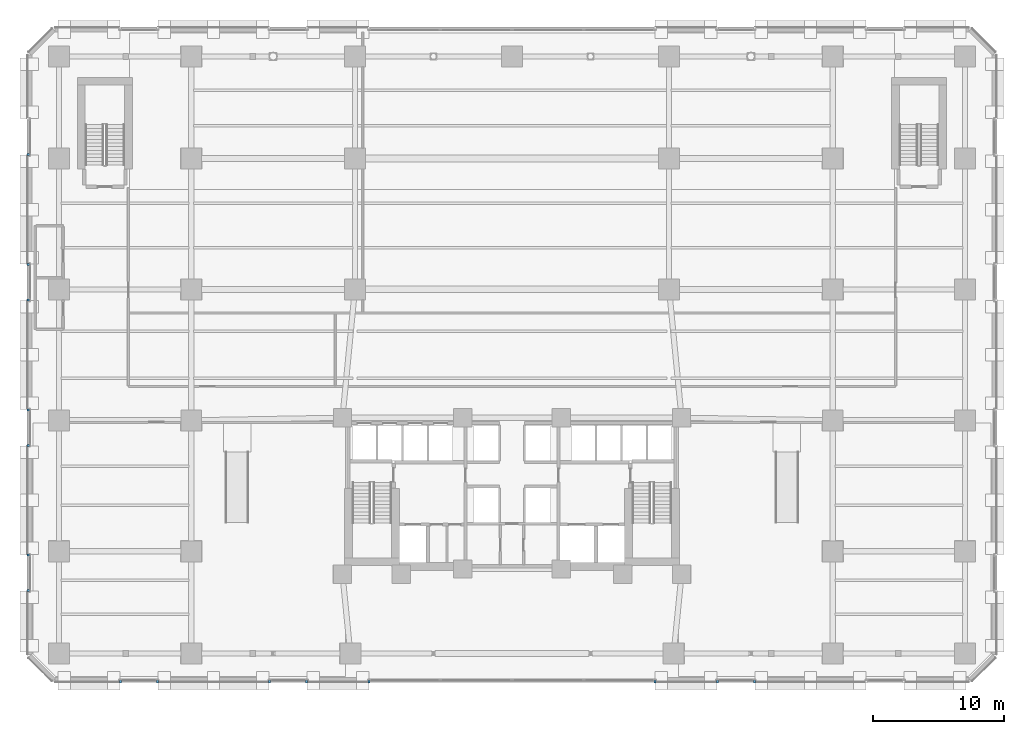
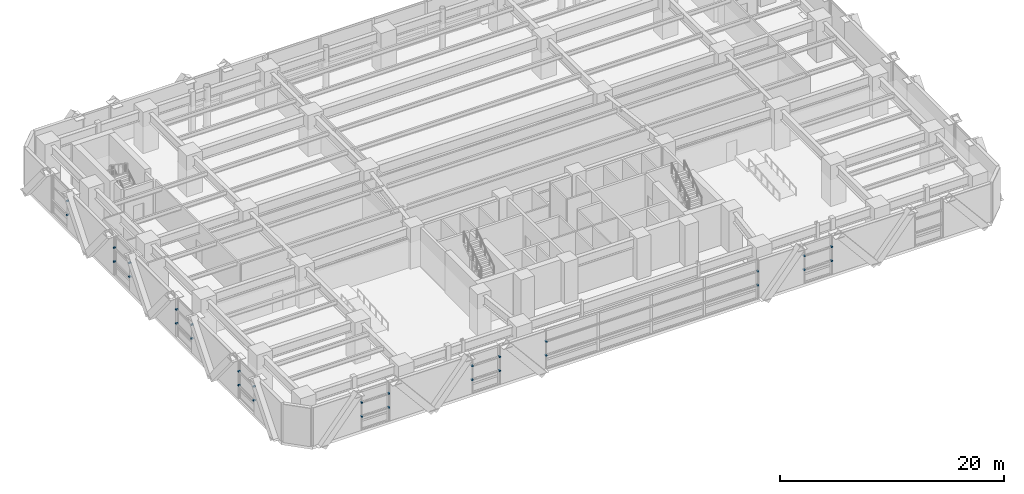
# One storey, part 17 of 26: 30 discrete accessories.
"""IFC4 building model written with IfcOpenShell, lengths in metres."""

import ifcopenshell
import ifcopenshell.guid

model = None  # the IFC model being written
_history = None  # IfcOwnerHistory: only IFC2X3 demands one
_inside = {}  # id of a spatial element -> (the spatial element, [elements in it])
_under = {}  # id of a project, library or spatial element -> (it, [spatial elements below it])
_declared = {}  # id of a project -> (the project, [libraries it declares])
_typed = {}  # id of a type object -> (the type object, [elements of that type])
_made_of = {}  # id of a material, layer set ... -> (it, [elements and type objects made of it])


def new_model(schema):
    """Start an empty IFC model of exactly this schema.

    Asked for "IFC4X3", IfcOpenShell would pick the latest addendum, in which some entities
    have other attributes; the version numbers below select the first issue.
    IFC2X3 requires an IfcOwnerHistory on every rooted entity: one is made here for all.
    """
    global model, _history
    if schema == "IFC4X3":
        model = ifcopenshell.file(schema_version=(4, 3, 0, 0))
    else:
        model = ifcopenshell.file(schema=schema)
    _inside.clear()
    _under.clear()
    _declared.clear()
    _typed.clear()
    _made_of.clear()
    _history = None
    if model.schema == "IFC2X3":
        org = make("IfcOrganization", Name="unknown")
        user = make(
            "IfcPersonAndOrganization",
            ThePerson=make("IfcPerson", FamilyName="unknown"),
            TheOrganization=org,
        )
        app = make(
            "IfcApplication",
            ApplicationDeveloper=org,
            Version="unknown",
            ApplicationFullName="unknown",
            ApplicationIdentifier="unknown",
        )
        _history = make(
            "IfcOwnerHistory",
            OwningUser=user,
            OwningApplication=app,
            ChangeAction="ADDED",
            CreationDate=0,
        )
    return model


def make(cls, **values):
    """One entity of the class cls with the attributes given. An attribute that is None is left unset."""
    return model.create_entity(
        cls, **{name: value for name, value in values.items() if value is not None}
    )


def rooted(cls, **values):
    """An entity with a GlobalId (a new one), such as an element, a storey or a relation."""
    return make(cls, GlobalId=ifcopenshell.guid.new(), OwnerHistory=_history, **values)


def si_unit(unit_type, name, prefix=None):
    """IfcSIUnit, for example si_unit("LENGTHUNIT", "METRE", prefix="MILLI")."""
    return make("IfcSIUnit", UnitType=unit_type, Prefix=prefix, Name=name)


def assignment(units):
    """IfcUnitAssignment: the units of a project."""
    return None if units is None else make("IfcUnitAssignment", Units=units)


def point(xyz):
    """IfcCartesianPoint."""
    return None if xyz is None else make("IfcCartesianPoint", Coordinates=xyz)


def direction(xyz):
    """IfcDirection."""
    return None if xyz is None else make("IfcDirection", DirectionRatios=xyz)


def frame(location, z_axis=None, x_axis=None):
    """IfcAxis2Placement3D, a coordinate frame: its origin and axes. An axis left out is left unset."""
    return make(
        "IfcAxis2Placement3D",
        Location=point(location),
        Axis=direction(z_axis),
        RefDirection=direction(x_axis),
    )


def frame_2d(location, x_axis=None):
    """IfcAxis2Placement2D, a coordinate frame in the plane: its origin and x axis."""
    return make(
        "IfcAxis2Placement2D", Location=point(location), RefDirection=direction(x_axis)
    )


def origin():
    """The frame at (0, 0, 0) with its axes left unset."""
    return frame((0.0, 0.0, 0.0))


def origin_2d():
    """The frame at (0, 0) in the plane with its x axis left unset."""
    return frame_2d((0.0, 0.0))


def place(relative_to, where):
    """IfcLocalPlacement: puts the frame where relative to a parent placement (None: the world)."""
    return make(
        "IfcLocalPlacement", PlacementRelTo=relative_to, RelativePlacement=where
    )


def context(
    kind, dimensions, precision=None, world=None, true_north=None, identifier=None
):
    """IfcGeometricRepresentationContext, for example the 3D "Model" context."""
    return make(
        "IfcGeometricRepresentationContext",
        ContextIdentifier=identifier,
        ContextType=kind,
        CoordinateSpaceDimension=dimensions,
        Precision=precision,
        WorldCoordinateSystem=world,
        TrueNorth=true_north,
    )


def subcontext(parent, identifier, kind, view, scale=None):
    """IfcGeometricRepresentationSubContext, for example "Body" below "Model"."""
    return make(
        "IfcGeometricRepresentationSubContext",
        ContextIdentifier=identifier,
        ContextType=kind,
        ParentContext=parent,
        TargetScale=scale,
        TargetView=view,
    )


def project(units=None, contexts=None):
    """IfcProject with its units and contexts."""
    return rooted(
        "IfcProject",
        Name="project",
        RepresentationContexts=contexts,
        UnitsInContext=assignment(units),
    )


def spatial(cls, under=None, at=None, **own):
    """A site, building, storey or space (cls), placed at a placement, below another one or the project."""
    s = rooted(cls, ObjectPlacement=at, **own)
    if under is not None:
        _under.setdefault(under.id(), (under, []))[1].append(s)
    return s


def profile(cls, at=None, kind="AREA", **sizes):
    """A parametric profile (cls). Its sizes go by their IFC names, for example OverallWidth=200.0."""
    return make(cls, ProfileType=kind, Position=at, **sizes)


def rectangle(**sizes):
    """IfcRectangleProfileDef."""
    return profile("IfcRectangleProfileDef", **sizes)


def extrude(swept, where, along, depth):
    """IfcExtrudedAreaSolid: the profile swept, set in the frame where, extruded along a direction by depth."""
    return make(
        "IfcExtrudedAreaSolid",
        SweptArea=swept,
        Position=where,
        ExtrudedDirection=direction(along),
        Depth=depth,
    )


def shape(context_of_items, identifier, shape_type, items):
    """IfcShapeRepresentation: the items that make up one representation, for example the "Body"."""
    return make(
        "IfcShapeRepresentation",
        ContextOfItems=context_of_items,
        RepresentationIdentifier=identifier,
        RepresentationType=shape_type,
        Items=items,
    )


def material(Name=None, Category=None):
    """IfcMaterial."""
    return make("IfcMaterial", Name=Name, Category=Category)


def made_of(thing, what):
    """Note that an element or type object is made of a material, layer set ...; save() writes the relation."""
    if what is not None:
        _made_of.setdefault(what.id(), (what, []))[1].append(thing)
    return thing


def type_object(cls, material=None, **own):
    """A type object (cls), such as IfcWallType, which elements share."""
    return made_of(rooted(cls, **own), material)


def element(
    cls,
    number,
    at=None,
    inside=None,
    cuts=None,
    type_object=None,
    material=None,
    context=None,
    identifier="Body",
    shape_type=None,
    held_by="IfcProductDefinitionShape",
    body=None,
    shapes=None,
    **own,
):
    """One element of the class cls, such as IfcWall. Its Tag is "e" and its number.

    at: its placement. inside: the storey or other place that contains it. cuts: it is an
    opening in that element (IfcRelVoidsElement). A single representation is given by context,
    identifier, shape_type and body (its items); several are given by shapes. held_by: the class
    of the entity that holds the representations. save() writes the other relations.
    """
    e = rooted(cls, Tag="e%d" % number, ObjectPlacement=at, **own)
    if body is not None:
        shapes = [shape(context, identifier, shape_type, body)]
    if shapes is not None:
        e.Representation = make(held_by, Representations=shapes)
    if inside is not None:
        _inside.setdefault(inside.id(), (inside, []))[1].append(e)
    if cuts is not None:
        rooted(
            "IfcRelVoidsElement", RelatingBuildingElement=cuts, RelatedOpeningElement=e
        )
    if type_object is not None:
        _typed.setdefault(type_object.id(), (type_object, []))[1].append(e)
    return made_of(e, material)


def aggregate(whole, parts):
    """IfcRelAggregates: a whole, such as a stair, and the parts it consists of."""
    return rooted("IfcRelAggregates", RelatingObject=whole, RelatedObjects=parts)


def save(model, path):
    """Write the relations noted so far, then the file.

    IfcRelAggregates (storeys below a building ...), IfcRelContainedInSpatialStructure (elements
    in a storey), IfcRelDefinesByType, IfcRelAssociatesMaterial and IfcRelDeclares: one each for
    every whole, place, type object, material and project.
    """
    for whole, parts in _under.values():
        aggregate(whole, parts)
    for where, things in _inside.values():
        rooted(
            "IfcRelContainedInSpatialStructure",
            RelatedElements=things,
            RelatingStructure=where,
        )
    for kind, things in _typed.values():
        rooted("IfcRelDefinesByType", RelatedObjects=things, RelatingType=kind)
    for what, things in _made_of.values():
        rooted("IfcRelAssociatesMaterial", RelatedObjects=things, RelatingMaterial=what)
    for by, libraries in _declared.values():
        rooted("IfcRelDeclares", RelatingContext=by, RelatedDefinitions=libraries)
    model.write(path)


model = new_model("IFC4")

# Units and contexts
model_context = context("Model", 3, precision=1e-05, world=origin(), true_north=direction((0.0, 1.0)))
body_context = subcontext(model_context, "Body", "Model", "MODEL_VIEW")
ifc_project = project(units=[si_unit("LENGTHUNIT", "METRE"), si_unit("AREAUNIT", "SQUARE_METRE"), si_unit("VOLUMEUNIT", "CUBIC_METRE"), si_unit("PLANEANGLEUNIT", "RADIAN"), si_unit("MASSUNIT", "GRAM", prefix="KILO")], contexts=[model_context])

# Site, building, storey
site_placement = place(None, origin())
site = spatial("IfcSite", under=ifc_project, at=site_placement, CompositionType="ELEMENT")
building_placement = place(site_placement, origin())
building = spatial("IfcBuilding", under=site, at=building_placement, Name="Quenlor Broadcast Tower", CompositionType="ELEMENT")
storey_placement = place(building_placement, frame((0.0, 0.0, 5.0)))
storey = spatial("IfcBuildingStorey", under=building, at=storey_placement, Name="L01", CompositionType="ELEMENT", Elevation=5.0)

# Discrete accessories
ifc_material = material(Name="Aluminium 6063-T6", Category="aluminium")
discrete_accessory_type = type_object("IfcDiscreteAccessoryType", Name="Stainless Mullion Baguette Support Bracket", PredefinedType="BRACKET", material=ifc_material)
for number, where, z_axis, x_axis, name in (
    (1, (18.509521484375, -24.93994140625, 1.44189453125), (0.0, 0.0, 1.0), (-1.0, 0.0, 0.0), "L01 Baguette Mullion Bracket 1.1"),
    (2, (15.6904296875, -24.93994140625, 1.44189453125), (0.0, 0.0, 1.0), (-1.0, 0.0, 0.0), "L01 Baguette Mullion Bracket 1.2"),
    (3, (18.509521484375, -24.93994140625, 2.9541015625), (0.0, 0.0, 1.0), (-1.0, 0.0, 0.0), "L01 Baguette Mullion Bracket 2.1"),
    (4, (15.6904296875, -24.93994140625, 2.9541015625), (0.0, 0.0, 1.0), (-1.0, 0.0, 0.0), "L01 Baguette Mullion Bracket 2.2"),
    (5, (10.909423828125, -24.93994140625, 1.44189453125), (0.0, 0.0, 1.0), (-1.0, 0.0, 0.0), "L01 Baguette Mullion Bracket 1.1"),
    (6, (-10.909423828125, -24.93994140625, 1.44189453125), (0.0, 0.0, 1.0), (-1.0, 0.0, 0.0), "L01 Baguette Mullion Bracket 1.2"),
    (7, (10.909423828125, -24.93994140625, 2.9541015625), (0.0, 0.0, 1.0), (-1.0, 0.0, 0.0), "L01 Baguette Mullion Bracket 2.1"),
    (8, (-10.909423828125, -24.93994140625, 2.9541015625), (0.0, 0.0, 1.0), (-1.0, 0.0, 0.0), "L01 Baguette Mullion Bracket 2.2"),
    (9, (-15.6904296875, -24.93994140625, 1.44189453125), (0.0, 0.0, 1.0), (-1.0, 0.0, 0.0), "L01 Baguette Mullion Bracket 1.1"),
    (10, (-18.509521484375, -24.93994140625, 1.44189453125), (0.0, 0.0, 1.0), (-1.0, 0.0, 0.0), "L01 Baguette Mullion Bracket 1.2"),
    (11, (-15.6904296875, -24.93994140625, 2.9541015625), (0.0, 0.0, 1.0), (-1.0, 0.0, 0.0), "L01 Baguette Mullion Bracket 2.1"),
    (12, (-18.509521484375, -24.93994140625, 2.9541015625), (0.0, 0.0, 1.0), (-1.0, 0.0, 0.0), "L01 Baguette Mullion Bracket 2.2"),
    (13, (-27.090576171875, -24.93994140625, 1.44189453125), (0.0, 0.0, 1.0), (-1.0, 0.0, 0.0), "L01 Baguette Mullion Bracket 1.1"),
    (14, (-29.909423828125, -24.93994140625, 1.44189453125), (0.0, 0.0, 1.0), (-1.0, 0.0, 0.0), "L01 Baguette Mullion Bracket 1.2"),
    (15, (-27.090576171875, -24.93994140625, 2.9541015625), (0.0, 0.0, 1.0), (-1.0, 0.0, 0.0), "L01 Baguette Mullion Bracket 2.1"),
    (16, (-29.909423828125, -24.93994140625, 2.9541015625), (0.0, 0.0, 1.0), (-1.0, 0.0, 0.0), "L01 Baguette Mullion Bracket 2.2"),
    (17, (-36.93994140625, -18.00634765625, 1.44189453125), (0.0, 0.0, 1.0), (0.0, 1.0, 0.0), "L01 Baguette Mullion Bracket 1.1"),
    (18, (-36.93994140625, -15.293701171875, 1.44189453125), (0.0, 0.0, 1.0), (0.0, 1.0, 0.0), "L01 Baguette Mullion Bracket 1.2"),
    (19, (-36.93994140625, -18.00634765625, 2.9541015625), (0.0, 0.0, 1.0), (0.0, 1.0, 0.0), "L01 Baguette Mullion Bracket 2.1"),
    (20, (-36.93994140625, -15.293701171875, 2.9541015625), (0.0, 0.0, 1.0), (0.0, 1.0, 0.0), "L01 Baguette Mullion Bracket 2.2"),
    (21, (-36.93994140625, -6.90625, 1.44189453125), (0.0, 0.0, 1.0), (0.0, 1.0, 0.0), "L01 Baguette Mullion Bracket 1.1"),
    (22, (-36.93994140625, -4.193603515625, 1.44189453125), (0.0, 0.0, 1.0), (0.0, 1.0, 0.0), "L01 Baguette Mullion Bracket 1.2"),
    (23, (-36.93994140625, -6.90625, 2.9541015625), (0.0, 0.0, 1.0), (0.0, 1.0, 0.0), "L01 Baguette Mullion Bracket 2.1"),
    (24, (-36.93994140625, -4.193603515625, 2.9541015625), (0.0, 0.0, 1.0), (0.0, 1.0, 0.0), "L01 Baguette Mullion Bracket 2.2"),
    (25, (-36.93994140625, 4.193603515625, 1.44189453125), (0.0, 0.0, 1.0), (0.0, 1.0, 0.0), "L01 Baguette Mullion Bracket 1.1"),
    (26, (-36.93994140625, 6.90625, 1.44189453125), (0.0, 0.0, 1.0), (0.0, 1.0, 0.0), "L01 Baguette Mullion Bracket 1.2"),
    (27, (-36.93994140625, 4.193603515625, 2.9541015625), (0.0, 0.0, 1.0), (0.0, 1.0, 0.0), "L01 Baguette Mullion Bracket 2.1"),
    (28, (-36.93994140625, 6.90625, 2.9541015625), (0.0, 0.0, 1.0), (0.0, 1.0, 0.0), "L01 Baguette Mullion Bracket 2.2"),
    (29, (-36.93994140625, 15.293701171875, 1.44189453125), (0.0, 0.0, 1.0), (0.0, 1.0, 0.0), "L01 Baguette Mullion Bracket 1.1"),
    (30, (-36.93994140625, 15.293701171875, 2.9541015625), (0.0, 0.0, 1.0), (0.0, 1.0, 0.0), "L01 Baguette Mullion Bracket 2.1"),
):
    element("IfcDiscreteAccessory", number, at=place(storey_placement, frame(where, z_axis=z_axis, x_axis=x_axis)), inside=storey, type_object=discrete_accessory_type, Name=name, PredefinedType="BRACKET", context=body_context, shape_type="SweptSolid", body=[
        extrude(rectangle(XDim=0.159912109375, YDim=0.239990234375, at=origin_2d()), origin(), (0.0, 0.0, 1.0), 0.139892578125),
    ])

save(model, "model.ifc")
